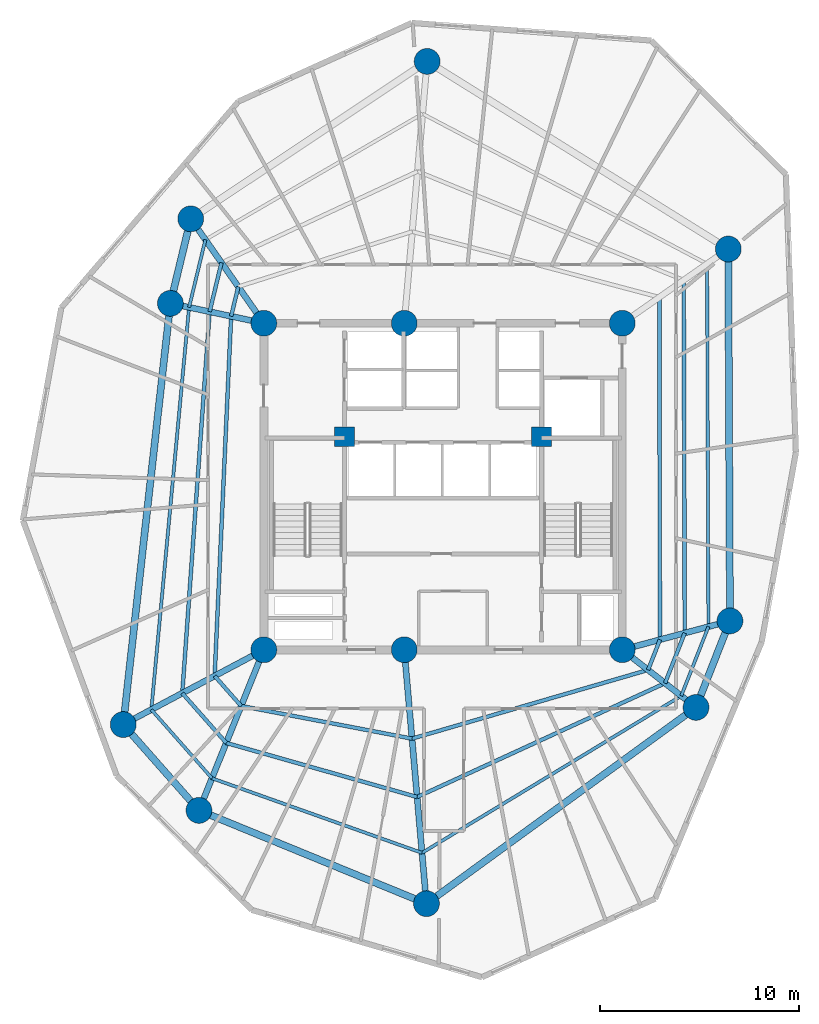
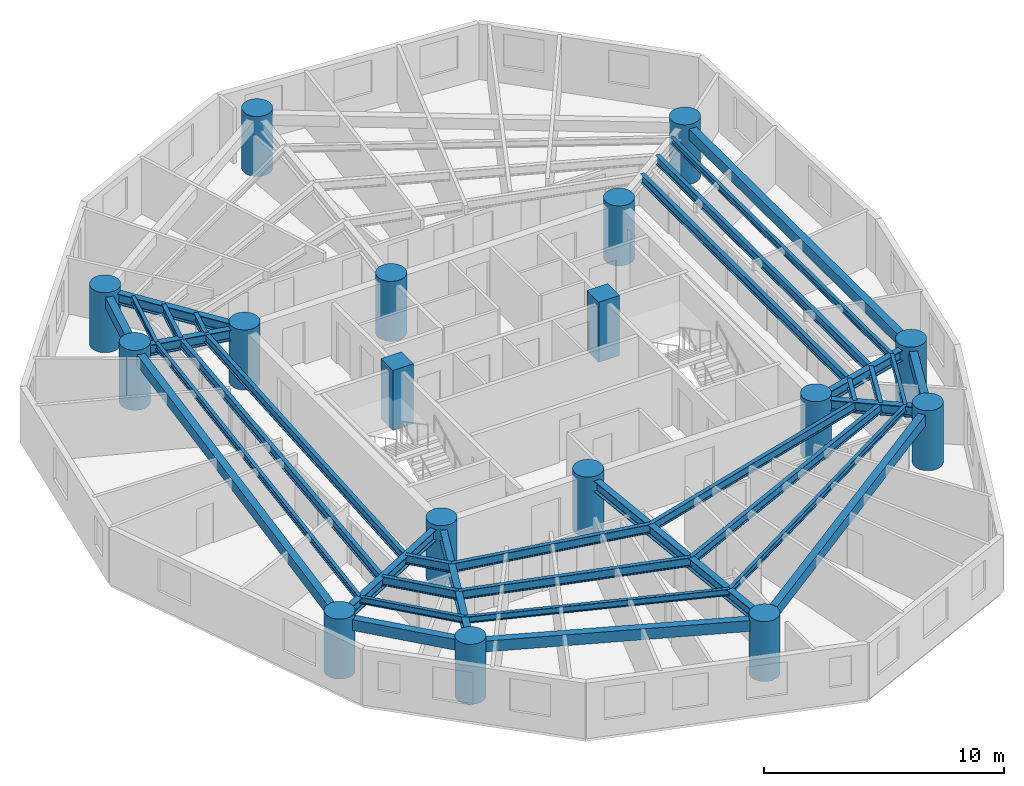
# One storey, part 1 of 8: 35 beams, 17 columns.
"""IFC4 building model written with IfcOpenShell, lengths in metres."""

from ifc_helpers import new_model, si_unit, direction, frame, origin, origin_with_axes, origin_2d, place, context, subcontext, project, spatial, rectangle, circle, i_section, extrude, source, transform, mapped, material, material_profile, profile_set, type_object, element, save


model = new_model("IFC4")

# Units and contexts
model_context = context("Model", 3, precision=1e-05, world=origin(), true_north=direction((0.0, 1.0)))
body_context = subcontext(model_context, "Body", "Model", "MODEL_VIEW")
ifc_project = project(units=[si_unit("LENGTHUNIT", "METRE"), si_unit("AREAUNIT", "SQUARE_METRE"), si_unit("VOLUMEUNIT", "CUBIC_METRE"), si_unit("PLANEANGLEUNIT", "RADIAN"), si_unit("MASSUNIT", "GRAM", prefix="KILO")], contexts=[model_context])

# Site, building, storey
site_placement = place(None, origin())
site = spatial("IfcSite", under=ifc_project, at=site_placement, CompositionType="ELEMENT")
building_placement = place(site_placement, origin())
building = spatial("IfcBuilding", under=site, at=building_placement, Name="Karkom Vertical University and Central Library", CompositionType="ELEMENT")
storey_placement = place(building_placement, frame((0.0, 0.0, 162.64990234375)))
storey = spatial("IfcBuildingStorey", under=building, at=storey_placement, Name="L46", CompositionType="ELEMENT", Elevation=162.64990234375)

# Columns
ifc_material_1 = material(Name="Concrete C50/60", Category="concrete")
ifc_material_profile_1 = material_profile(ifc_material_1, circle(Radius=0.64990234375, at=origin_2d()), Name="CFT-D1300")
ifc_profile_set_1 = profile_set([ifc_material_profile_1], Name="Concrete C50/60")
column_type_1 = type_object("IfcColumnType", Name="STR-COL-C-SC4", PredefinedType="COLUMN", material=ifc_profile_set_1)
shared_shape_1 = source(origin_with_axes(), body_context, "Body", "SweptSolid", [
    extrude(circle(Radius=0.64990234375, at=origin_2d()), origin(), (0.0, 0.0, 1.0), 3.050048828125),
])
for number, where, z_axis, x_axis, name in (
    (1, (19.5, 18.300048828125, 0.0), (0.0, 0.0, 1.0), (1.0, 0.0, 0.0), "Level 46 Spine Mega-Column SC-1"),
    (2, (26.550048828125, 18.300048828125, 0.0), (0.0, 0.0, 1.0), (1.0, 0.0, 0.0), "Level 46 Spine Mega-Column SC-2"),
    (3, (37.5, 18.300048828125, 0.0), (0.0, 0.0, 1.0), (1.0, 0.0, 0.0), "Level 46 Spine Mega-Column SC-3"),
    (4, (19.5, 34.699951171875, 0.0), (0.0, 0.0, 1.0), (1.0, 0.0, 0.0), "Level 46 Spine Mega-Column SC-4"),
    (5, (26.550048828125, 34.699951171875, 0.0), (0.0, 0.0, 1.0), (1.0, 0.0, 0.0), "Level 46 Spine Mega-Column SC-5"),
    (6, (37.5, 34.699951171875, 0.0), (0.0, 0.0, 1.0), (1.0, 0.0, 0.0), "Level 46 Spine Mega-Column SC-6"),
    (7, (42.908935546875, 19.7490234375, 0.0), (0.0, 0.0, 1.0), (1.0, 0.0, 0.0), "Level 46 Perimeter Mega-Column Z3-PC1"),
    (8, (42.823974609375, 38.427978515625, 0.0), (0.0, 0.0, 1.0), (1.0, 0.0, 0.0), "Level 46 Perimeter Mega-Column Z3-PC2"),
    (9, (27.699951171875, 47.85009765625, 0.0), (0.0, 0.0, 1.0), (1.0, 0.0, 0.0), "Level 46 Perimeter Mega-Column Z3-PC3"),
    (10, (15.8291015625, 39.943115234375, 0.0), (0.0, 0.0, 1.0), (1.0, 0.0, 0.0), "Level 46 Perimeter Mega-Column Z3-PC4"),
    (11, (14.804931640625, 35.697998046875, 0.0), (0.0, 0.0, 1.0), (1.0, 0.0, 0.0), "Level 46 Perimeter Mega-Column Z3-PC5"),
    (12, (12.43603515625, 14.5439453125, 0.0), (0.0, 0.0, 1.0), (1.0, 0.0, 0.0), "Level 46 Perimeter Mega-Column Z3-PC6"),
    (13, (16.240966796875, 10.23388671875, 0.0), (0.0, 0.0, 1.0), (1.0, 0.0, 0.0), "Level 46 Perimeter Mega-Column Z3-PC7"),
    (14, (27.666015625, 5.549072265625, 0.0), (0.0, 0.0, 1.0), (1.0, 0.0, 0.0), "Level 46 Perimeter Mega-Column Z3-PC8"),
    (15, (41.2041015625, 15.406005859375, 0.0), (0.0, 0.0, 1.0), (1.0, 0.0, 0.0), "Level 46 Perimeter Mega-Column Z3-PC9"),
):
    element("IfcColumn", number, at=place(storey_placement, frame(where, z_axis=z_axis, x_axis=x_axis)), inside=storey, type_object=column_type_1, Name=name, PredefinedType="COLUMN", context=body_context, shape_type="MappedRepresentation", body=[
        mapped(shared_shape_1, transform((0.0, 0.0, 0.0), scale=1.0)),
    ])
ifc_material_profile_2 = material_profile(ifc_material_1, rectangle(XDim=1.0, YDim=1.0, at=origin_2d()), Name="RC-1000x1000")
ifc_profile_set_2 = profile_set([ifc_material_profile_2], Name="Concrete C50/60")
column_type_2 = type_object("IfcColumnType", Name="STR-COL-C-CC2", PredefinedType="COLUMN", material=ifc_profile_set_2)
shared_shape_2 = source(origin_with_axes(), body_context, "Body", "SweptSolid", [
    extrude(rectangle(XDim=1.0, YDim=1.0, at=origin_2d()), origin(), (0.0, 0.0, 1.0), 3.050048828125),
])
for number, where, z_axis, x_axis, name in (
    (16, (23.550048828125, 29.0, 0.0), (0.0, 0.0, 1.0), (1.0, 0.0, 0.0), "Level 46 Core Node Column CC-1"),
    (17, (33.449951171875, 29.0, 0.0), (0.0, 0.0, 1.0), (1.0, 0.0, 0.0), "Level 46 Core Node Column CC-2"),
):
    element("IfcColumn", number, at=place(storey_placement, frame(where, z_axis=z_axis, x_axis=x_axis)), inside=storey, type_object=column_type_2, Name=name, PredefinedType="COLUMN", context=body_context, shape_type="MappedRepresentation", body=[
        mapped(shared_shape_2, transform((0.0, 0.0, 0.0), scale=1.0)),
    ])

# Beams
ifc_material_2 = material(Name="Precast concrete C45/55", Category="concrete")
ifc_material_profile_3 = material_profile(ifc_material_2, rectangle(XDim=0.35009765625, YDim=0.550048828125, at=origin_2d()), Name="SPB-350x550")
ifc_profile_set_3 = profile_set([ifc_material_profile_3], Name="Precast concrete C45/55")
beam_type_1 = type_object("IfcBeamType", Name="STR-BM-SP-2", PredefinedType="SPANDREL", material=ifc_profile_set_3)
shared_shape_3 = source(origin_with_axes(), body_context, "Body", "SweptSolid", [
    extrude(rectangle(XDim=0.35009765625, YDim=0.550048828125, at=origin_2d()), origin(), (0.0, 0.0, 1.0), 18.67919921875),
])
beam_1_placement = place(storey_placement, frame((42.908935546875, 19.7490234375, 2.550048828125), z_axis=(-0.004548437442, 0.999989655805, 0.0), x_axis=(-0.999989655805, -0.004548437442, 0.0)))
element("IfcBeam", 18, at=beam_1_placement, inside=storey, type_object=beam_type_1, Name="Level 46 Perimeter Spandrel Beam 01", PredefinedType="SPANDREL", context=body_context, shape_type="MappedRepresentation", body=[
    mapped(shared_shape_3, transform((0.0, 0.0, 0.0), scale=1.0)),
])
shared_shape_4 = source(origin_with_axes(), body_context, "Body", "SweptSolid", [
    extrude(rectangle(XDim=0.35009765625, YDim=0.550048828125, at=origin_2d()), origin(), (0.0, 0.0, 1.0), 4.366943359375),
])
beam_2_placement = place(storey_placement, frame((15.8291015625, 39.943115234375, 2.550048828125), z_axis=(-0.234529408772, -0.972109024966, 0.0), x_axis=(0.972109024966, -0.234529408772, 0.0)))
element("IfcBeam", 19, at=beam_2_placement, inside=storey, type_object=beam_type_1, Name="Level 46 Perimeter Spandrel Beam 04", PredefinedType="SPANDREL", context=body_context, shape_type="MappedRepresentation", body=[
    mapped(shared_shape_4, transform((0.0, 0.0, 0.0), scale=1.0)),
])
shared_shape_5 = source(origin_with_axes(), body_context, "Body", "SweptSolid", [
    extrude(rectangle(XDim=0.35009765625, YDim=0.550048828125, at=origin_2d()), origin(), (0.0, 0.0, 1.0), 21.286376953125),
])
beam_3_placement = place(storey_placement, frame((14.804931640625, 35.697998046875, 2.550048828125), z_axis=(-0.111287493264, -0.993788254028, 0.0), x_axis=(0.993788254028, -0.111287493264, 0.0)))
element("IfcBeam", 20, at=beam_3_placement, inside=storey, type_object=beam_type_1, Name="Level 46 Perimeter Spandrel Beam 05", PredefinedType="SPANDREL", context=body_context, shape_type="MappedRepresentation", body=[
    mapped(shared_shape_5, transform((0.0, 0.0, 0.0), scale=1.0)),
])
shared_shape_6 = source(origin_with_axes(), body_context, "Body", "SweptSolid", [
    extrude(rectangle(XDim=0.35009765625, YDim=0.550048828125, at=origin_2d()), origin(), (0.0, 0.0, 1.0), 5.749267578125),
])
beam_4_placement = place(storey_placement, frame((12.43603515625, 14.5439453125, 2.550048828125), z_axis=(0.661811219671, -0.74967053398, 0.0), x_axis=(0.74967053398, 0.661811219671, 0.0)))
element("IfcBeam", 21, at=beam_4_placement, inside=storey, type_object=beam_type_1, Name="Level 46 Perimeter Spandrel Beam 06", PredefinedType="SPANDREL", context=body_context, shape_type="MappedRepresentation", body=[
    mapped(shared_shape_6, transform((0.0, 0.0, 0.0), scale=1.0)),
])
shared_shape_7 = source(origin_with_axes(), body_context, "Body", "SweptSolid", [
    extrude(rectangle(XDim=0.35009765625, YDim=0.550048828125, at=origin_2d()), origin(), (0.0, 0.0, 1.0), 12.34814453125),
])
beam_5_placement = place(storey_placement, frame((16.240966796875, 10.23388671875, 2.550048828125), z_axis=(0.925236428984, -0.37939102583, 0.0), x_axis=(0.37939102583, 0.925236428984, 0.0)))
element("IfcBeam", 22, at=beam_5_placement, inside=storey, type_object=beam_type_1, Name="Level 46 Perimeter Spandrel Beam 07", PredefinedType="SPANDREL", context=body_context, shape_type="MappedRepresentation", body=[
    mapped(shared_shape_7, transform((0.0, 0.0, 0.0), scale=1.0)),
])
shared_shape_8 = source(origin_with_axes(), body_context, "Body", "SweptSolid", [
    extrude(rectangle(XDim=0.35009765625, YDim=0.550048828125, at=origin_2d()), origin(), (0.0, 0.0, 1.0), 16.746337890625),
])
beam_6_placement = place(storey_placement, frame((27.666015625, 5.549072265625, 2.550048828125), z_axis=(0.808422013284, 0.588603303115, 0.0), x_axis=(-0.588603303115, 0.808422013284, 0.0)))
element("IfcBeam", 23, at=beam_6_placement, inside=storey, type_object=beam_type_1, Name="Level 46 Perimeter Spandrel Beam 08", PredefinedType="SPANDREL", context=body_context, shape_type="MappedRepresentation", body=[
    mapped(shared_shape_8, transform((0.0, 0.0, 0.0), scale=1.0)),
])
shared_shape_9 = source(origin_with_axes(), body_context, "Body", "SweptSolid", [
    extrude(rectangle(XDim=0.35009765625, YDim=0.550048828125, at=origin_2d()), origin(), (0.0, 0.0, 1.0), 4.66552734375),
])
beam_7_placement = place(storey_placement, frame((41.2041015625, 15.406005859375, 2.550048828125), z_axis=(0.365401419454, 0.930850043058, 0.0), x_axis=(-0.930850043058, 0.365401419454, 0.0)))
element("IfcBeam", 24, at=beam_7_placement, inside=storey, type_object=beam_type_1, Name="Level 46 Perimeter Spandrel Beam 09", PredefinedType="SPANDREL", context=body_context, shape_type="MappedRepresentation", body=[
    mapped(shared_shape_9, transform((0.0, 0.0, 0.0), scale=1.0)),
])
ifc_material_3 = material(Name="Steel S355", Category="steel")
ifc_material_profile_4 = material_profile(ifc_material_3, i_section(OverallWidth=0.18994140625, OverallDepth=0.449951171875, WebThickness=0.009521484375, FlangeThickness=0.0146484375, FilletRadius=0.02099609375, at=origin_2d()), Name="IPE 450")
ifc_profile_set_4 = profile_set([ifc_material_profile_4], Name="Steel S355")
beam_type_2 = type_object("IfcBeamType", Name="STR-BM-SB-IPE450", PredefinedType="BEAM", material=ifc_profile_set_4)
shared_shape_10 = source(origin_with_axes(), body_context, "Body", "SweptSolid", [
    extrude(i_section(OverallWidth=0.18994140625, OverallDepth=0.449951171875, WebThickness=0.009521484375, FlangeThickness=0.0146484375, FilletRadius=0.02099609375, at=origin_2d()), origin(), (0.0, 0.0, 1.0), 17.19775390625),
])
beam_8_placement = place(storey_placement, frame((39.39306640625, 18.80712890625, 2.60009765625), z_axis=(-0.001731918699, 0.999998500228, 0.0), x_axis=(-0.999998500228, -0.001731918699, 0.0)))
element("IfcBeam", 25, at=beam_8_placement, inside=storey, type_object=beam_type_2, Name="Level 46 Secondary Composite Floor Beam 1.01", PredefinedType="BEAM", context=body_context, shape_type="MappedRepresentation", body=[
    mapped(shared_shape_10, transform((0.0, 0.0, 0.0), scale=1.0)),
])
shared_shape_11 = source(origin_with_axes(), body_context, "Body", "SweptSolid", [
    extrude(i_section(OverallWidth=0.18994140625, OverallDepth=0.449951171875, WebThickness=0.009521484375, FlangeThickness=0.0146484375, FilletRadius=0.02099609375, at=origin_2d()), origin(), (0.0, 0.0, 1.0), 1.5283203125),
])
beam_9_placement = place(storey_placement, frame((18.215087890625, 36.534912109375, 2.60009765625), z_axis=(-0.234520804587, -0.972111100757, 0.0), x_axis=(0.972111100757, -0.234520804587, 0.0)))
element("IfcBeam", 26, at=beam_9_placement, inside=storey, type_object=beam_type_2, Name="Level 46 Secondary Composite Floor Beam 1.04", PredefinedType="BEAM", context=body_context, shape_type="MappedRepresentation", body=[
    mapped(shared_shape_11, transform((0.0, 0.0, 0.0), scale=1.0)),
])
shared_shape_12 = source(origin_with_axes(), body_context, "Body", "SweptSolid", [
    extrude(i_section(OverallWidth=0.18994140625, OverallDepth=0.449951171875, WebThickness=0.009521484375, FlangeThickness=0.0146484375, FilletRadius=0.02099609375, at=origin_2d()), origin(), (0.0, 0.0, 1.0), 18.0830078125),
])
beam_10_placement = place(storey_placement, frame((17.856689453125, 35.04931640625, 2.60009765625), z_axis=(-0.04584982532, -0.998948343769, 0.0), x_axis=(0.998948343769, -0.04584982532, 0.0)))
element("IfcBeam", 27, at=beam_10_placement, inside=storey, type_object=beam_type_2, Name="Level 46 Secondary Composite Floor Beam 1.05", PredefinedType="BEAM", context=body_context, shape_type="MappedRepresentation", body=[
    mapped(shared_shape_12, transform((0.0, 0.0, 0.0), scale=1.0)),
])
shared_shape_13 = source(origin_with_axes(), body_context, "Body", "SweptSolid", [
    extrude(i_section(OverallWidth=0.18994140625, OverallDepth=0.449951171875, WebThickness=0.009521484375, FlangeThickness=0.0146484375, FilletRadius=0.02099609375, at=origin_2d()), origin(), (0.0, 0.0, 1.0), 2.01220703125),
])
beam_11_placement = place(storey_placement, frame((17.027587890625, 16.9853515625, 2.60009765625), z_axis=(0.661822246424, -0.749660799387, 0.0), x_axis=(0.749660799387, 0.661822246424, 0.0)))
element("IfcBeam", 28, at=beam_11_placement, inside=storey, type_object=beam_type_2, Name="Level 46 Secondary Composite Floor Beam 1.06", PredefinedType="BEAM", context=body_context, shape_type="MappedRepresentation", body=[
    mapped(shared_shape_13, transform((0.0, 0.0, 0.0), scale=1.0)),
])
shared_shape_14 = source(origin_with_axes(), body_context, "Body", "SweptSolid", [
    extrude(i_section(OverallWidth=0.18994140625, OverallDepth=0.449951171875, WebThickness=0.009521484375, FlangeThickness=0.0146484375, FilletRadius=0.02099609375, at=origin_2d()), origin(), (0.0, 0.0, 1.0), 8.736572265625),
])
beam_12_placement = place(storey_placement, frame((18.359375, 15.476806640625, 2.60009765625), z_axis=(0.982230782932, -0.187677087205, 0.0), x_axis=(0.187677087205, 0.982230782932, 0.0)))
element("IfcBeam", 29, at=beam_12_placement, inside=storey, type_object=beam_type_2, Name="Level 46 Secondary Composite Floor Beam 1.07", PredefinedType="BEAM", context=body_context, shape_type="MappedRepresentation", body=[
    mapped(shared_shape_14, transform((0.0, 0.0, 0.0), scale=1.0)),
])
shared_shape_15 = source(origin_with_axes(), body_context, "Body", "SweptSolid", [
    extrude(i_section(OverallWidth=0.18994140625, OverallDepth=0.449951171875, WebThickness=0.009521484375, FlangeThickness=0.0146484375, FilletRadius=0.02099609375, at=origin_2d()), origin(), (0.0, 0.0, 1.0), 12.347412109375),
])
beam_13_placement = place(storey_placement, frame((26.940673828125, 13.837158203125, 2.60009765625), z_axis=(0.960173212987, 0.279405442077, 0.0), x_axis=(-0.279405442077, 0.960173212987, 0.0)))
element("IfcBeam", 30, at=beam_13_placement, inside=storey, type_object=beam_type_2, Name="Level 46 Secondary Composite Floor Beam 1.08", PredefinedType="BEAM", context=body_context, shape_type="MappedRepresentation", body=[
    mapped(shared_shape_15, transform((0.0, 0.0, 0.0), scale=1.0)),
])
shared_shape_16 = source(origin_with_axes(), body_context, "Body", "SweptSolid", [
    extrude(i_section(OverallWidth=0.18994140625, OverallDepth=0.449951171875, WebThickness=0.009521484375, FlangeThickness=0.0146484375, FilletRadius=0.02099609375, at=origin_2d()), origin(), (0.0, 0.0, 1.0), 1.633056640625),
])
beam_14_placement = place(storey_placement, frame((38.79638671875, 17.287109375, 2.60009765625), z_axis=(0.365402570083, 0.930849591382, 0.0), x_axis=(-0.930849591382, 0.365402570083, 0.0)))
element("IfcBeam", 31, at=beam_14_placement, inside=storey, type_object=beam_type_2, Name="Level 46 Secondary Composite Floor Beam 1.09", PredefinedType="BEAM", context=body_context, shape_type="MappedRepresentation", body=[
    mapped(shared_shape_16, transform((0.0, 0.0, 0.0), scale=1.0)),
])
shared_shape_17 = source(origin_with_axes(), body_context, "Body", "SweptSolid", [
    extrude(i_section(OverallWidth=0.18994140625, OverallDepth=0.449951171875, WebThickness=0.009521484375, FlangeThickness=0.0146484375, FilletRadius=0.02099609375, at=origin_2d()), origin(), (0.0, 0.0, 1.0), 17.721923828125),
])
beam_15_placement = place(storey_placement, frame((40.63720703125, 19.140380859375, 2.60009765625), z_axis=(-0.002782780006, 0.99999612806, 0.0), x_axis=(-0.99999612806, -0.002782780006, 0.0)))
element("IfcBeam", 32, at=beam_15_placement, inside=storey, type_object=beam_type_2, Name="Level 46 Secondary Composite Floor Beam 2.01", PredefinedType="BEAM", context=body_context, shape_type="MappedRepresentation", body=[
    mapped(shared_shape_17, transform((0.0, 0.0, 0.0), scale=1.0)),
])
shared_shape_18 = source(origin_with_axes(), body_context, "Body", "SweptSolid", [
    extrude(i_section(OverallWidth=0.18994140625, OverallDepth=0.449951171875, WebThickness=0.009521484375, FlangeThickness=0.0146484375, FilletRadius=0.02099609375, at=origin_2d()), origin(), (0.0, 0.0, 1.0), 2.53271484375),
])
beam_16_placement = place(storey_placement, frame((17.370849609375, 37.740966796875, 2.60009765625), z_axis=(-0.234521178828, -0.972111010472, 0.0), x_axis=(0.972111010472, -0.234521178828, 0.0)))
element("IfcBeam", 33, at=beam_16_placement, inside=storey, type_object=beam_type_2, Name="Level 46 Secondary Composite Floor Beam 2.04", PredefinedType="BEAM", context=body_context, shape_type="MappedRepresentation", body=[
    mapped(shared_shape_18, transform((0.0, 0.0, 0.0), scale=1.0)),
])
shared_shape_19 = source(origin_with_axes(), body_context, "Body", "SweptSolid", [
    extrude(i_section(OverallWidth=0.18994140625, OverallDepth=0.449951171875, WebThickness=0.009521484375, FlangeThickness=0.0146484375, FilletRadius=0.02099609375, at=origin_2d()), origin(), (0.0, 0.0, 1.0), 19.20654296875),
])
beam_17_placement = place(storey_placement, frame((16.77685546875, 35.27880859375, 2.60009765625), z_axis=(-0.071539731632, -0.997437750839, 0.0), x_axis=(0.997437750839, -0.071539731632, 0.0)))
element("IfcBeam", 34, at=beam_17_placement, inside=storey, type_object=beam_type_2, Name="Level 46 Secondary Composite Floor Beam 2.05", PredefinedType="BEAM", context=body_context, shape_type="MappedRepresentation", body=[
    mapped(shared_shape_19, transform((0.0, 0.0, 0.0), scale=1.0)),
])
shared_shape_20 = source(origin_with_axes(), body_context, "Body", "SweptSolid", [
    extrude(i_section(OverallWidth=0.18994140625, OverallDepth=0.449951171875, WebThickness=0.009521484375, FlangeThickness=0.0146484375, FilletRadius=0.02099609375, at=origin_2d()), origin(), (0.0, 0.0, 1.0), 3.334716796875),
])
beam_18_placement = place(storey_placement, frame((15.40283203125, 16.12158203125, 2.60009765625), z_axis=(0.661815321502, -0.749666912852, 0.0), x_axis=(0.749666912852, 0.661815321502, 0.0)))
element("IfcBeam", 35, at=beam_18_placement, inside=storey, type_object=beam_type_2, Name="Level 46 Secondary Composite Floor Beam 2.06", PredefinedType="BEAM", context=body_context, shape_type="MappedRepresentation", body=[
    mapped(shared_shape_20, transform((0.0, 0.0, 0.0), scale=1.0)),
])
shared_shape_21 = source(origin_with_axes(), body_context, "Body", "SweptSolid", [
    extrude(i_section(OverallWidth=0.18994140625, OverallDepth=0.449951171875, WebThickness=0.009521484375, FlangeThickness=0.0146484375, FilletRadius=0.02099609375, at=origin_2d()), origin(), (0.0, 0.0, 1.0), 9.965087890625),
])
beam_19_placement = place(storey_placement, frame((17.60986328125, 13.62158203125, 2.60009765625), z_axis=(0.962104232935, -0.272681948372, 0.0), x_axis=(0.272681948372, 0.962104232935, 0.0)))
element("IfcBeam", 36, at=beam_19_placement, inside=storey, type_object=beam_type_2, Name="Level 46 Secondary Composite Floor Beam 2.07", PredefinedType="BEAM", context=body_context, shape_type="MappedRepresentation", body=[
    mapped(shared_shape_21, transform((0.0, 0.0, 0.0), scale=1.0)),
])
shared_shape_22 = source(origin_with_axes(), body_context, "Body", "SweptSolid", [
    extrude(i_section(OverallWidth=0.18994140625, OverallDepth=0.449951171875, WebThickness=0.009521484375, FlangeThickness=0.0146484375, FilletRadius=0.02099609375, at=origin_2d()), origin(), (0.0, 0.0, 1.0), 13.700927734375),
])
beam_20_placement = place(storey_placement, frame((27.197265625, 10.904296875, 2.60009765625), z_axis=(0.908771280691, 0.417294571486, 0.0), x_axis=(-0.417294571486, 0.908771280691, 0.0)))
element("IfcBeam", 37, at=beam_20_placement, inside=storey, type_object=beam_type_2, Name="Level 46 Secondary Composite Floor Beam 2.08", PredefinedType="BEAM", context=body_context, shape_type="MappedRepresentation", body=[
    mapped(shared_shape_22, transform((0.0, 0.0, 0.0), scale=1.0)),
])
shared_shape_23 = source(origin_with_axes(), body_context, "Body", "SweptSolid", [
    extrude(i_section(OverallWidth=0.18994140625, OverallDepth=0.449951171875, WebThickness=0.009521484375, FlangeThickness=0.0146484375, FilletRadius=0.02099609375, at=origin_2d()), origin(), (0.0, 0.0, 1.0), 2.7060546875),
])
beam_21_placement = place(storey_placement, frame((39.648193359375, 16.62158203125, 2.60009765625), z_axis=(0.365487674906, 0.930816179217, 0.0), x_axis=(-0.930816179217, 0.365487674906, 0.0)))
element("IfcBeam", 38, at=beam_21_placement, inside=storey, type_object=beam_type_2, Name="Level 46 Secondary Composite Floor Beam 2.09", PredefinedType="BEAM", context=body_context, shape_type="MappedRepresentation", body=[
    mapped(shared_shape_23, transform((0.0, 0.0, 0.0), scale=1.0)),
])
ifc_material_profile_5 = material_profile(ifc_material_3, i_section(OverallWidth=0.159912109375, OverallDepth=0.330078125, WebThickness=0.007568359375, FlangeThickness=0.011474609375, FilletRadius=0.01806640625, at=origin_2d()), Name="IPE 330")
ifc_profile_set_5 = profile_set([ifc_material_profile_5], Name="Steel S355")
beam_type_3 = type_object("IfcBeamType", Name="STR-BM-SB-IPE330", PredefinedType="BEAM", material=ifc_profile_set_5)
shared_shape_24 = source(origin_with_axes(), body_context, "Body", "SweptSolid", [
    extrude(i_section(OverallWidth=0.159912109375, OverallDepth=0.330078125, WebThickness=0.007568359375, FlangeThickness=0.011474609375, FilletRadius=0.01806640625, at=origin_2d()), origin(), (0.0, 0.0, 1.0), 18.223388671875),
])
beam_22_placement = place(storey_placement, frame((41.8271484375, 19.459228515625, 2.66015625), z_axis=(-0.003724418851, 0.999993064328, 0.0), x_axis=(-0.999993064328, -0.003724418851, 0.0)))
element("IfcBeam", 39, at=beam_22_placement, inside=storey, type_object=beam_type_3, Name="Level 46 Secondary Composite Floor Beam 3.01", PredefinedType="BEAM", context=body_context, shape_type="MappedRepresentation", body=[
    mapped(shared_shape_24, transform((0.0, 0.0, 0.0), scale=1.0)),
])
shared_shape_25 = source(origin_with_axes(), body_context, "Body", "SweptSolid", [
    extrude(i_section(OverallWidth=0.159912109375, OverallDepth=0.330078125, WebThickness=0.007568359375, FlangeThickness=0.011474609375, FilletRadius=0.01806640625, at=origin_2d()), origin(), (0.0, 0.0, 1.0), 3.493408203125),
])
beam_23_placement = place(storey_placement, frame((16.563232421875, 38.894287109375, 2.66015625), z_axis=(-0.234535781995, -0.972107487351, 0.0), x_axis=(0.972107487351, -0.234535781995, 0.0)))
element("IfcBeam", 40, at=beam_23_placement, inside=storey, type_object=beam_type_3, Name="Level 46 Secondary Composite Floor Beam 3.04", PredefinedType="BEAM", context=body_context, shape_type="MappedRepresentation", body=[
    mapped(shared_shape_25, transform((0.0, 0.0, 0.0), scale=1.0)),
])
shared_shape_26 = source(origin_with_axes(), body_context, "Body", "SweptSolid", [
    extrude(i_section(OverallWidth=0.159912109375, OverallDepth=0.330078125, WebThickness=0.007568359375, FlangeThickness=0.011474609375, FilletRadius=0.01806640625, at=origin_2d()), origin(), (0.0, 0.0, 1.0), 20.291748046875),
])
beam_24_placement = place(storey_placement, frame((15.743896484375, 35.498291015625, 2.66015625), z_axis=(-0.093388415244, -0.995629752417, 0.0), x_axis=(0.995629752417, -0.093388415244, 0.0)))
element("IfcBeam", 41, at=beam_24_placement, inside=storey, type_object=beam_type_3, Name="Level 46 Secondary Composite Floor Beam 3.05", PredefinedType="BEAM", context=body_context, shape_type="MappedRepresentation", body=[
    mapped(shared_shape_26, transform((0.0, 0.0, 0.0), scale=1.0)),
])
shared_shape_27 = source(origin_with_axes(), body_context, "Body", "SweptSolid", [
    extrude(i_section(OverallWidth=0.159912109375, OverallDepth=0.330078125, WebThickness=0.007568359375, FlangeThickness=0.011474609375, FilletRadius=0.01806640625, at=origin_2d()), origin(), (0.0, 0.0, 1.0), 4.599365234375),
])
beam_25_placement = place(storey_placement, frame((13.848876953125, 15.295166015625, 2.66015625), z_axis=(0.661816486801, -0.74966588411, 0.0), x_axis=(0.74966588411, 0.661816486801, 0.0)))
element("IfcBeam", 42, at=beam_25_placement, inside=storey, type_object=beam_type_3, Name="Level 46 Secondary Composite Floor Beam 3.06", PredefinedType="BEAM", context=body_context, shape_type="MappedRepresentation", body=[
    mapped(shared_shape_27, transform((0.0, 0.0, 0.0), scale=1.0)),
])
shared_shape_28 = source(origin_with_axes(), body_context, "Body", "SweptSolid", [
    extrude(i_section(OverallWidth=0.159912109375, OverallDepth=0.330078125, WebThickness=0.007568359375, FlangeThickness=0.011474609375, FilletRadius=0.01806640625, at=origin_2d()), origin(), (0.0, 0.0, 1.0), 11.196044921875),
])
beam_26_placement = place(storey_placement, frame((16.892822265625, 11.84716796875, 2.66015625), z_axis=(0.942301538336, -0.334765307119, 0.0), x_axis=(0.334765307119, 0.942301538336, 0.0)))
element("IfcBeam", 43, at=beam_26_placement, inside=storey, type_object=beam_type_3, Name="Level 46 Secondary Composite Floor Beam 3.07", PredefinedType="BEAM", context=body_context, shape_type="MappedRepresentation", body=[
    mapped(shared_shape_28, transform((0.0, 0.0, 0.0), scale=1.0)),
])
shared_shape_29 = source(origin_with_axes(), body_context, "Body", "SweptSolid", [
    extrude(i_section(OverallWidth=0.159912109375, OverallDepth=0.330078125, WebThickness=0.007568359375, FlangeThickness=0.011474609375, FilletRadius=0.01806640625, at=origin_2d()), origin(), (0.0, 0.0, 1.0), 15.22216796875),
])
beam_27_placement = place(storey_placement, frame((27.44287109375, 8.09912109375, 2.66015625), z_axis=(0.855352900974, 0.518045765155, 0.0), x_axis=(-0.518045765155, 0.855352900974, 0.0)))
element("IfcBeam", 44, at=beam_27_placement, inside=storey, type_object=beam_type_3, Name="Level 46 Secondary Composite Floor Beam 3.08", PredefinedType="BEAM", context=body_context, shape_type="MappedRepresentation", body=[
    mapped(shared_shape_29, transform((0.0, 0.0, 0.0), scale=1.0)),
])
shared_shape_30 = source(origin_with_axes(), body_context, "Body", "SweptSolid", [
    extrude(i_section(OverallWidth=0.159912109375, OverallDepth=0.330078125, WebThickness=0.007568359375, FlangeThickness=0.011474609375, FilletRadius=0.01806640625, at=origin_2d()), origin(), (0.0, 0.0, 1.0), 3.732421875),
])
beam_28_placement = place(storey_placement, frame((40.463134765625, 15.98486328125, 2.66015625), z_axis=(0.365439874109, 0.930834946922, 0.0), x_axis=(-0.930834946922, 0.365439874109, 0.0)))
element("IfcBeam", 45, at=beam_28_placement, inside=storey, type_object=beam_type_3, Name="Level 46 Secondary Composite Floor Beam 3.09", PredefinedType="BEAM", context=body_context, shape_type="MappedRepresentation", body=[
    mapped(shared_shape_30, transform((0.0, 0.0, 0.0), scale=1.0)),
])
ifc_material_profile_6 = material_profile(ifc_material_3, i_section(OverallWidth=0.300048828125, OverallDepth=0.550048828125, WebThickness=0.014892578125, FlangeThickness=0.029052734375, FilletRadius=0.027099609375, at=origin_2d()), Name="HE 550 B")
ifc_profile_set_6 = profile_set([ifc_material_profile_6], Name="Steel S355")
beam_type_4 = type_object("IfcBeamType", Name="STR-BM-SB-HE550", PredefinedType="USERDEFINED", material=ifc_profile_set_6)
shared_shape_31 = source(origin_with_axes(), body_context, "Body", "SweptSolid", [
    extrude(i_section(OverallWidth=0.300048828125, OverallDepth=0.550048828125, WebThickness=0.014892578125, FlangeThickness=0.029052734375, FilletRadius=0.027099609375, at=origin_2d()), origin(), (0.0, 0.0, 1.0), 5.599609375),
])
beam_29_placement = place(storey_placement, frame((37.5, 18.300048828125, 2.550048828125), z_axis=(0.965941240814, 0.258761510459, 0.0), x_axis=(-0.258761510459, 0.965941240814, 0.0)))
element("IfcBeam", 46, at=beam_29_placement, inside=storey, type_object=beam_type_4, Name="Level 46 Radial Frame Girder 01", ObjectType="GIRDER", PredefinedType="USERDEFINED", context=body_context, shape_type="MappedRepresentation", body=[
    mapped(shared_shape_31, transform((0.0, 0.0, 0.0), scale=1.0)),
])
shared_shape_32 = source(origin_with_axes(), body_context, "Body", "SweptSolid", [
    extrude(i_section(OverallWidth=0.300048828125, OverallDepth=0.550048828125, WebThickness=0.014892578125, FlangeThickness=0.029052734375, FilletRadius=0.027099609375, at=origin_2d()), origin(), (0.0, 0.0, 1.0), 6.400390625),
])
beam_30_placement = place(storey_placement, frame((19.5, 34.699951171875, 2.550048828125), z_axis=(-0.573534022273, 0.81918174131, 0.0), x_axis=(-0.81918174131, -0.573534022273, 0.0)))
element("IfcBeam", 47, at=beam_30_placement, inside=storey, type_object=beam_type_4, Name="Level 46 Radial Frame Girder 04", ObjectType="GIRDER", PredefinedType="USERDEFINED", context=body_context, shape_type="MappedRepresentation", body=[
    mapped(shared_shape_32, transform((0.0, 0.0, 0.0), scale=1.0)),
])
shared_shape_33 = source(origin_with_axes(), body_context, "Body", "SweptSolid", [
    extrude(i_section(OverallWidth=0.300048828125, OverallDepth=0.550048828125, WebThickness=0.014892578125, FlangeThickness=0.029052734375, FilletRadius=0.027099609375, at=origin_2d()), origin(), (0.0, 0.0, 1.0), 4.800048828125),
])
beam_31_placement = place(storey_placement, frame((19.5, 34.699951171875, 2.550048828125), z_axis=(-0.978144241295, 0.207927495108, 0.0), x_axis=(-0.207927495108, -0.978144241295, 0.0)))
element("IfcBeam", 48, at=beam_31_placement, inside=storey, type_object=beam_type_4, Name="Level 46 Radial Frame Girder 05", ObjectType="GIRDER", PredefinedType="USERDEFINED", context=body_context, shape_type="MappedRepresentation", body=[
    mapped(shared_shape_33, transform((0.0, 0.0, 0.0), scale=1.0)),
])
shared_shape_34 = source(origin_with_axes(), body_context, "Body", "SweptSolid", [
    extrude(i_section(OverallWidth=0.300048828125, OverallDepth=0.550048828125, WebThickness=0.014892578125, FlangeThickness=0.029052734375, FilletRadius=0.027099609375, at=origin_2d()), origin(), (0.0, 0.0, 1.0), 8.00048828125),
])
beam_32_placement = place(storey_placement, frame((19.5, 18.300048828125, 2.550048828125), z_axis=(-0.882941023922, -0.46948391695, 0.0), x_axis=(0.46948391695, -0.882941023922, 0.0)))
element("IfcBeam", 49, at=beam_32_placement, inside=storey, type_object=beam_type_4, Name="Level 46 Radial Frame Girder 06", ObjectType="GIRDER", PredefinedType="USERDEFINED", context=body_context, shape_type="MappedRepresentation", body=[
    mapped(shared_shape_34, transform((0.0, 0.0, 0.0), scale=1.0)),
])
shared_shape_35 = source(origin_with_axes(), body_context, "Body", "SweptSolid", [
    extrude(i_section(OverallWidth=0.300048828125, OverallDepth=0.550048828125, WebThickness=0.014892578125, FlangeThickness=0.029052734375, FilletRadius=0.027099609375, at=origin_2d()), origin(), (0.0, 0.0, 1.0), 8.69970703125),
])
beam_33_placement = place(storey_placement, frame((19.5, 18.300048828125, 2.550048828125), z_axis=(-0.374615701214, -0.927180174725, 0.0), x_axis=(0.927180174725, -0.374615701214, 0.0)))
element("IfcBeam", 50, at=beam_33_placement, inside=storey, type_object=beam_type_4, Name="Level 46 Radial Frame Girder 07", ObjectType="GIRDER", PredefinedType="USERDEFINED", context=body_context, shape_type="MappedRepresentation", body=[
    mapped(shared_shape_35, transform((0.0, 0.0, 0.0), scale=1.0)),
])
shared_shape_36 = source(origin_with_axes(), body_context, "Body", "SweptSolid", [
    extrude(i_section(OverallWidth=0.300048828125, OverallDepth=0.550048828125, WebThickness=0.014892578125, FlangeThickness=0.029052734375, FilletRadius=0.027099609375, at=origin_2d()), origin(), (0.0, 0.0, 1.0), 12.7998046875),
])
beam_34_placement = place(storey_placement, frame((26.550048828125, 18.300048828125, 2.550048828125), z_axis=(0.087186825694, -0.996191978198, 0.0), x_axis=(0.996191978198, 0.087186825694, 0.0)))
element("IfcBeam", 51, at=beam_34_placement, inside=storey, type_object=beam_type_4, Name="Level 46 Radial Frame Girder 08", ObjectType="GIRDER", PredefinedType="USERDEFINED", context=body_context, shape_type="MappedRepresentation", body=[
    mapped(shared_shape_36, transform((0.0, 0.0, 0.0), scale=1.0)),
])
shared_shape_37 = source(origin_with_axes(), body_context, "Body", "SweptSolid", [
    extrude(i_section(OverallWidth=0.300048828125, OverallDepth=0.550048828125, WebThickness=0.014892578125, FlangeThickness=0.029052734375, FilletRadius=0.027099609375, at=origin_2d()), origin(), (0.0, 0.0, 1.0), 4.70068359375),
])
beam_35_placement = place(storey_placement, frame((37.5, 18.300048828125, 2.550048828125), z_axis=(0.788002325582, -0.615672262553, 0.0), x_axis=(0.615672262553, 0.788002325582, 0.0)))
element("IfcBeam", 52, at=beam_35_placement, inside=storey, type_object=beam_type_4, Name="Level 46 Radial Frame Girder 09", ObjectType="GIRDER", PredefinedType="USERDEFINED", context=body_context, shape_type="MappedRepresentation", body=[
    mapped(shared_shape_37, transform((0.0, 0.0, 0.0), scale=1.0)),
])

save(model, "model.ifc")
